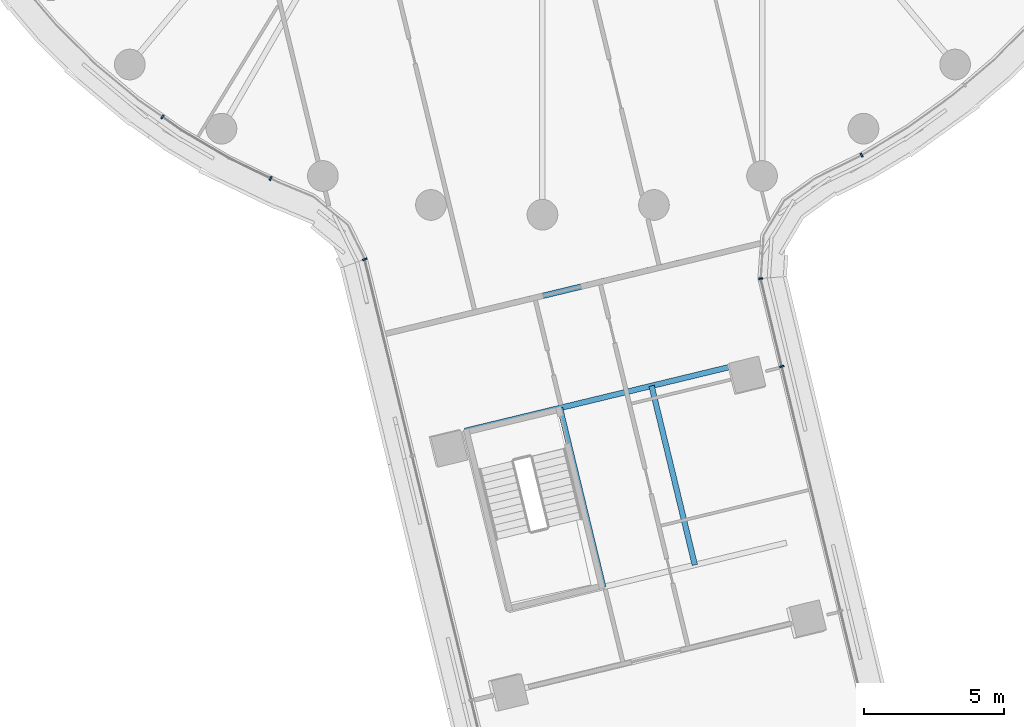
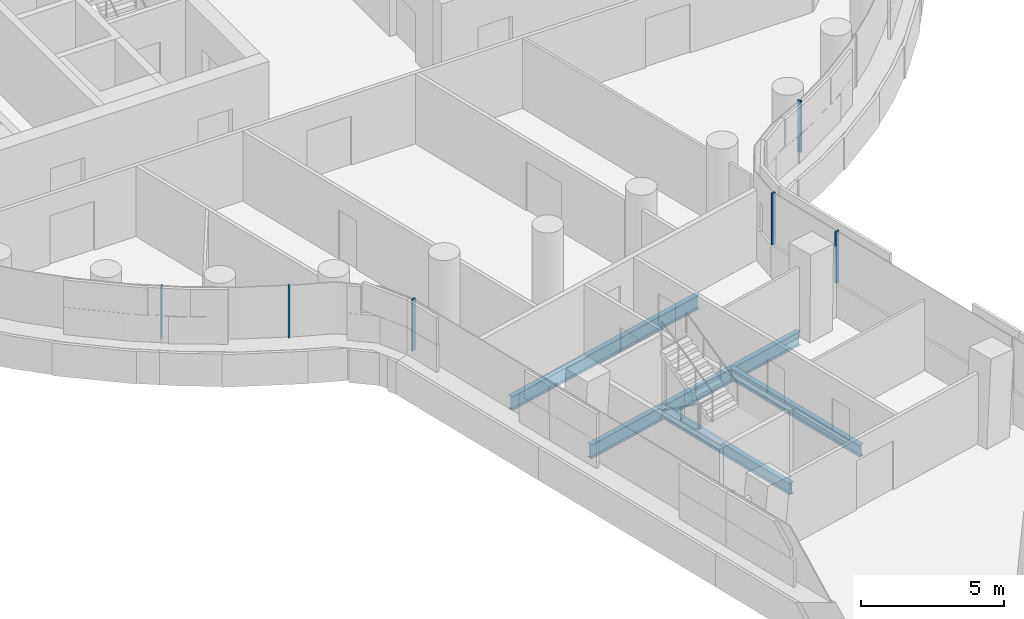
# One storey, part 3 of 33: 6 members, 4 beams, 4 elements without a shape of their own.
"""IFC4 building model written with IfcOpenShell, lengths in metres."""

from ifc_helpers import new_model, si_unit, direction, frame, origin, origin_2d, place, context, subcontext, project, spatial, rectangle, i_section, extrude, material, layer, layer_set, material_profile, profile_set, type_object, element, aggregate, save


model = new_model("IFC4")

# Units and contexts
model_context = context("Model", 3, precision=1e-05, world=origin(), true_north=direction((0.0, 1.0)))
body_context = subcontext(model_context, "Body", "Model", "MODEL_VIEW")
ifc_project = project(units=[si_unit("LENGTHUNIT", "METRE"), si_unit("AREAUNIT", "SQUARE_METRE"), si_unit("VOLUMEUNIT", "CUBIC_METRE"), si_unit("PLANEANGLEUNIT", "RADIAN"), si_unit("MASSUNIT", "GRAM", prefix="KILO")], contexts=[model_context])

# Site, building, storey
site_placement = place(None, origin())
site = spatial("IfcSite", under=ifc_project, at=site_placement, CompositionType="ELEMENT")
building_placement = place(site_placement, origin())
building = spatial("IfcBuilding", under=site, at=building_placement, Name="Tamarind Cross Interchange Tower", CompositionType="ELEMENT")
storey_placement = place(building_placement, frame((0.0, 0.0, 83.5)))
storey = spatial("IfcBuildingStorey", under=building, at=storey_placement, Name="L19", CompositionType="ELEMENT", Elevation=83.5)

# Beams
ifc_material_1 = material(Name="Steel Q355B", Category="steel")
ifc_material_profile_1 = material_profile(ifc_material_1, i_section(OverallWidth=0.198974609375, OverallDepth=0.49609375, WebThickness=0.009033203125, FlangeThickness=0.013916015625, FilletRadius=0.012939453125, at=origin_2d()), Name="HN 496x199x9x14")
ifc_profile_set_1 = profile_set([ifc_material_profile_1], Name="Steel Q355B")
beam_type_1 = type_object("IfcBeamType", Name="Composite beam HN 496x199x9x14 Q355B", PredefinedType="BEAM", material=ifc_profile_set_1)
beam_1_placement = place(storey_placement, frame((0.62841796875, -29.924072265625, -0.387939453125), z_axis=(0.234859900002, -0.972029231747, 0.0), x_axis=(0.972029231747, 0.234859900002, 0.0)))
element("IfcBeam", 1, at=beam_1_placement, inside=storey, type_object=beam_type_1, Name="Beam S-tr1", PredefinedType="BEAM", context=body_context, shape_type="SweptSolid", body=[
    extrude(i_section(OverallWidth=0.198974609375, OverallDepth=0.49609375, WebThickness=0.009033203125, FlangeThickness=0.013916015625, FilletRadius=0.012939453125, at=origin_2d()), origin(), (0.0, 0.0, 1.0), 6.599853515625),
])
beam_2_placement = place(storey_placement, frame((3.9091796875, -29.13134765625, -0.387939453125), z_axis=(0.234816504897, -0.972039715767, 0.0), x_axis=(0.972039715767, 0.234816504897, 0.0)))
element("IfcBeam", 2, at=beam_2_placement, inside=storey, type_object=beam_type_1, Name="Beam S-stripp", PredefinedType="BEAM", context=body_context, shape_type="SweptSolid", body=[
    extrude(i_section(OverallWidth=0.198974609375, OverallDepth=0.49609375, WebThickness=0.009033203125, FlangeThickness=0.013916015625, FilletRadius=0.012939453125, at=origin_2d()), origin(), (0.0, 0.0, 1.0), 6.60009765625),
])
ifc_material_profile_2 = material_profile(ifc_material_1, i_section(OverallWidth=0.199951171875, OverallDepth=0.60009765625, WebThickness=0.010986328125, FlangeThickness=0.01708984375, FilletRadius=0.012939453125, at=origin_2d()), Name="HN 600x200x11x17")
ifc_profile_set_2 = profile_set([ifc_material_profile_2], Name="Steel Q355B")
beam_type_2 = type_object("IfcBeamType", Name="Composite beam HN 600x200x11x17 Q355B", PredefinedType="BEAM", material=ifc_profile_set_2)
beam_3_placement = place(storey_placement, frame((-2.773681640625, -30.745849609375, -0.43994140625), z_axis=(0.972038221732, 0.234822689476, 0.0), x_axis=(-0.234822689476, 0.972038221732, 0.0)))
element("IfcBeam", 3, at=beam_3_placement, inside=storey, type_object=beam_type_2, Name="Beam S-x298", PredefinedType="BEAM", context=body_context, shape_type="SweptSolid", body=[
    extrude(i_section(OverallWidth=0.199951171875, OverallDepth=0.60009765625, WebThickness=0.010986328125, FlangeThickness=0.01708984375, FilletRadius=0.012939453125, at=origin_2d()), origin(), (0.0, 0.0, 1.0), 10.131591796875),
])
beam_4_placement = place(storey_placement, frame((-3.709228515625, -26.805419921875, -0.43994140625), z_axis=(0.972035297678, 0.234834793136, 0.0), x_axis=(-0.234834793136, 0.972035297678, 0.0)))
element("IfcBeam", 4, at=beam_4_placement, inside=storey, type_object=beam_type_2, Name="Beam S-x258", PredefinedType="BEAM", context=body_context, shape_type="SweptSolid", body=[
    extrude(i_section(OverallWidth=0.199951171875, OverallDepth=0.60009765625, WebThickness=0.010986328125, FlangeThickness=0.01708984375, FilletRadius=0.012939453125, at=origin_2d()), origin(), (0.0, 0.0, 1.0), 9.050048828125),
])

# Curtain wall, member
ifc_material_2 = material(Name="Aluminium 6063-T6", Category="aluminium")
ifc_layer_1 = layer(ifc_material_2, 0.159912109375)
ifc_layer_set_1 = layer_set([ifc_layer_1], Name="Aluminium 6063-T6")
curtain_wall_type_1 = type_object("IfcCurtainWallType", Name="Office curtain wall, 9.0 m bays", PredefinedType="NOTDEFINED", material=ifc_layer_set_1)
curtain_wall_1_placement = place(storey_placement, origin())
curtain_wall_1 = element("IfcCurtainWall", 5, at=curtain_wall_1_placement, inside=storey, type_object=curtain_wall_type_1, Name="CWS-L19-07", PredefinedType="NOTDEFINED")
ifc_material_profile_3 = material_profile(ifc_material_2, rectangle(XDim=0.06005859375, YDim=0.159912109375, at=origin_2d()), Name="Mullion CW1")
ifc_profile_set_3 = profile_set([ifc_material_profile_3], Name="Aluminium 6063-T6")
member_type_1 = type_object("IfcMemberType", Name="Mullion CW1", PredefinedType="MULLION", material=ifc_profile_set_3)
member_1_placement = place(storey_placement, frame((-6.3681640625, -24.59716796875, 1.39990234375), z_axis=(0.0, 0.0, 1.0), x_axis=(0.339404640198, -0.940640468092, 0.0)))
member_1 = element("IfcMember", 6, at=member_1_placement, type_object=member_type_1, Name="CWM-L19-07-00", PredefinedType="MULLION", context=body_context, shape_type="SweptSolid", body=[
    extrude(rectangle(XDim=0.06005859375, YDim=0.159912109375, at=origin_2d()), origin(), (0.0, 0.0, 1.0), 2.210205078125),
])
aggregate(curtain_wall_1, [member_1])

curtain_wall_2_placement = place(storey_placement, origin())
curtain_wall_2 = element("IfcCurtainWall", 7, at=curtain_wall_2_placement, inside=storey, type_object=curtain_wall_type_1, Name="CWS-L19-09", PredefinedType="NOTDEFINED")
member_2_placement = place(storey_placement, frame((8.573974609375, -28.4365234375, 1.39990234375), z_axis=(0.0, 0.0, 1.0), x_axis=(-0.233544182771, 0.972346190764, 0.0)))
member_2 = element("IfcMember", 8, at=member_2_placement, type_object=member_type_1, Name="CWM-L19-09-02", PredefinedType="MULLION", context=body_context, shape_type="SweptSolid", body=[
    extrude(rectangle(XDim=0.06005859375, YDim=0.159912109375, at=origin_2d()), origin(), (0.0, 0.0, 1.0), 2.210205078125),
])
aggregate(curtain_wall_2, [member_2])

# Curtain wall, members
ifc_layer_2 = layer(ifc_material_2, 0.14990234375)
ifc_layer_set_2 = layer_set([ifc_layer_2], Name="Aluminium 6063-T6")
curtain_wall_type_2 = type_object("IfcCurtainWallType", Name="Winter garden and crown curtain wall", PredefinedType="NOTDEFINED", material=ifc_layer_set_2)
curtain_wall_3_placement = place(storey_placement, origin())
curtain_wall_3 = element("IfcCurtainWall", 9, at=curtain_wall_3_placement, inside=storey, type_object=curtain_wall_type_2, Name="CWS-L19-06", PredefinedType="NOTDEFINED")
ifc_material_profile_4 = material_profile(ifc_material_2, rectangle(XDim=0.06005859375, YDim=0.14990234375, at=origin_2d()), Name="Mullion CW6")
ifc_profile_set_4 = profile_set([ifc_material_profile_4], Name="Aluminium 6063-T6")
member_type_2 = type_object("IfcMemberType", Name="Mullion CW6", PredefinedType="MULLION", material=ifc_profile_set_4)
member_3_placement = place(storey_placement, frame((-13.614013671875, -19.4921875, 1.39990234375), z_axis=(0.0, 0.0, 1.0), x_axis=(0.816341886298, -0.577568978284, 0.0)))
member_3 = element("IfcMember", 10, at=member_3_placement, type_object=member_type_2, Name="CWM-L19-06-03", PredefinedType="MULLION", context=body_context, shape_type="SweptSolid", body=[
    extrude(rectangle(XDim=0.06005859375, YDim=0.14990234375, at=origin_2d()), origin(), (0.0, 0.0, 1.0), 2.210205078125),
])
member_4_placement = place(storey_placement, frame((-9.737548828125, -21.700439453125, 1.39990234375), z_axis=(0.0, 0.0, 1.0), x_axis=(0.900272776334, -0.435326231914, 0.0)))
member_4 = element("IfcMember", 11, at=member_4_placement, type_object=member_type_2, Name="CWM-L19-06-04", PredefinedType="MULLION", context=body_context, shape_type="SweptSolid", body=[
    extrude(rectangle(XDim=0.06005859375, YDim=0.14990234375, at=origin_2d()), origin(), (0.0, 0.0, 1.0), 2.210205078125),
])
aggregate(curtain_wall_3, [member_3, member_4])

curtain_wall_4_placement = place(storey_placement, origin())
curtain_wall_4 = element("IfcCurtainWall", 12, at=curtain_wall_4_placement, inside=storey, type_object=curtain_wall_type_2, Name="CWS-L19-10", PredefinedType="NOTDEFINED")
member_5_placement = place(storey_placement, frame((7.81787109375, -25.288818359375, 1.39990234375), z_axis=(0.0, 0.0, 1.0), x_axis=(-0.084647298143, 0.996410976915, 0.0)))
member_5 = element("IfcMember", 13, at=member_5_placement, type_object=member_type_2, Name="CWM-L19-10-00", PredefinedType="MULLION", context=body_context, shape_type="SweptSolid", body=[
    extrude(rectangle(XDim=0.06005859375, YDim=0.14990234375, at=origin_2d()), origin(), (0.0, 0.0, 1.0), 2.210205078125),
])
member_6_placement = place(storey_placement, frame((11.434814453125, -20.8671875, 1.39990234375), z_axis=(0.0, 0.0, 1.0), x_axis=(0.856843065292, 0.515577308909, 0.0)))
member_6 = element("IfcMember", 14, at=member_6_placement, type_object=member_type_2, Name="CWM-L19-10-01", PredefinedType="MULLION", context=body_context, shape_type="SweptSolid", body=[
    extrude(rectangle(XDim=0.06005859375, YDim=0.14990234375, at=origin_2d()), origin(), (0.0, 0.0, 1.0), 2.210205078125),
])
aggregate(curtain_wall_4, [member_5, member_6])

save(model, "model.ifc")
